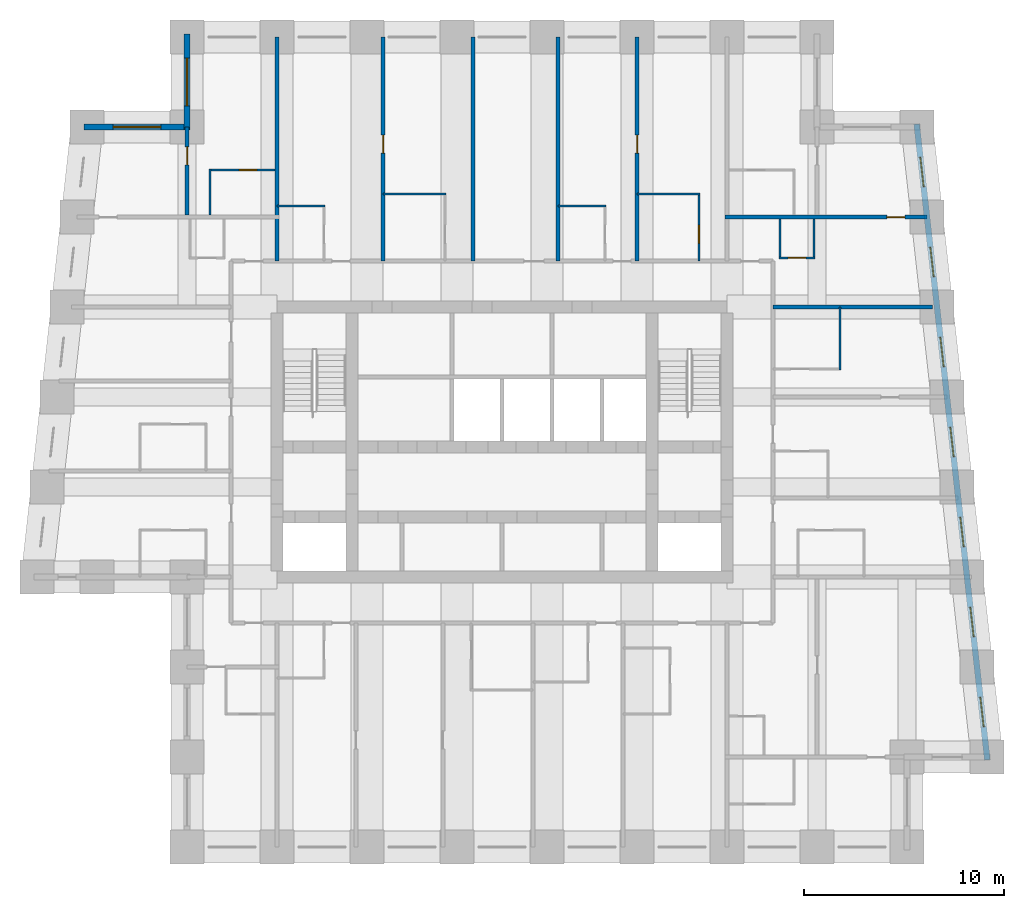
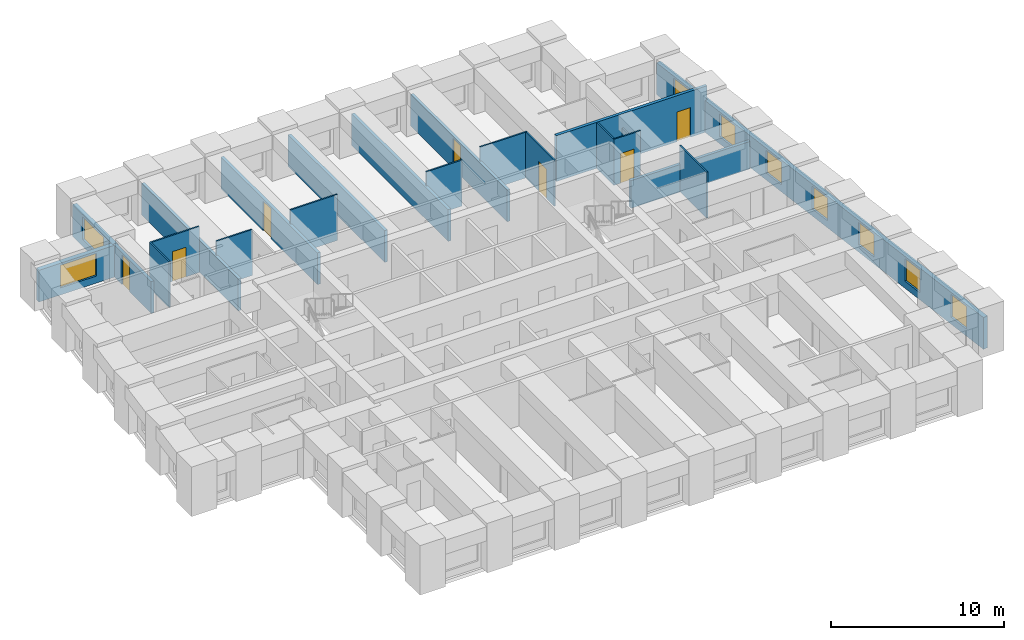
# One storey, part 6 of 8: 22 walls, 9 windows, 7 doors, 16 openings.
"""IFC4 building model written with IfcOpenShell, lengths in metres."""

from ifc_helpers import new_model, si_unit, direction, frame, frame_2d, origin, place, context, subcontext, project, spatial, rectangle, extrude, material, layer, layer_set, type_object, element, fill, save


model = new_model("IFC4")

# Units and contexts
model_context = context("Model", 3, precision=1e-05, world=origin(), true_north=direction((0.0, 1.0)))
body_context = subcontext(model_context, "Body", "Model", "MODEL_VIEW")
ifc_project = project(units=[si_unit("LENGTHUNIT", "METRE"), si_unit("AREAUNIT", "SQUARE_METRE"), si_unit("VOLUMEUNIT", "CUBIC_METRE"), si_unit("PLANEANGLEUNIT", "RADIAN"), si_unit("MASSUNIT", "GRAM", prefix="KILO")], contexts=[model_context])

# Site, building, storey
site_placement = place(None, origin())
site = spatial("IfcSite", under=ifc_project, at=site_placement, CompositionType="ELEMENT")
building_placement = place(site_placement, origin())
building = spatial("IfcBuilding", under=site, at=building_placement, Name="Kilele Tower Hotel", CompositionType="ELEMENT")
storey_placement = place(building_placement, frame((0.0, 0.0, 193.89990234375)))
storey = spatial("IfcBuildingStorey", under=building, at=storey_placement, Name="L50", CompositionType="ELEMENT", Elevation=193.89990234375)

# Walls
ifc_material_1 = material(Name="Moisture-resistant board")
ifc_layer_1 = layer(ifc_material_1, 0.10009765625)
ifc_layer_set_1 = layer_set([ifc_layer_1], Name="Moisture-resistant board")
wall_type_1 = type_object("IfcWallType", Name="Bathroom partition 100", PredefinedType="PLUMBINGWALL", material=ifc_layer_set_1)
wall_1_placement = place(storey_placement, frame((41.64990234375, 23.85009765625, 0.0), z_axis=(0.0, 0.0, 1.0), x_axis=(0.0, 1.0, 0.0)))
element("IfcWall", 1, at=wall_1_placement, inside=storey, type_object=wall_type_1, Name="Bathroom partition 100 L50", PredefinedType="PLUMBINGWALL", context=body_context, shape_type="SweptSolid", body=[
    extrude(rectangle(XDim=3.14990234375, YDim=0.10009765625, at=frame_2d((1.574951171875, 0.0))), origin(), (0.0, 0.0, 1.0), 3.25),
])
wall_2_placement = place(storey_placement, frame((13.5, 32.050048828125, 0.0), z_axis=(0.0, 0.0, 1.0), x_axis=(1.0, 0.0, 0.0)))
element("IfcWall", 2, at=wall_2_placement, inside=storey, type_object=wall_type_1, Name="Bathroom partition 100 L50", PredefinedType="PLUMBINGWALL", context=body_context, shape_type="SweptSolid", body=[
    extrude(rectangle(XDim=2.39990234375, YDim=0.10009765625, at=frame_2d((1.199951171875, 0.0))), origin(), (0.0, 0.0, 1.0), 3.25),
])
wall_3_placement = place(storey_placement, frame((18.800048828125, 32.64990234375, 0.0), z_axis=(0.0, 0.0, 1.0), x_axis=(1.0, 0.0, 0.0)))
element("IfcWall", 3, at=wall_3_placement, inside=storey, type_object=wall_type_1, Name="Bathroom partition 100 L50", PredefinedType="PLUMBINGWALL", context=body_context, shape_type="SweptSolid", body=[
    extrude(rectangle(XDim=3.14990234375, YDim=0.10009765625, at=frame_2d((1.574951171875, 0.0))), origin(), (0.0, 0.0, 1.0), 3.25),
])
wall_4_placement = place(storey_placement, frame((27.550048828125, 32.050048828125, 0.0), z_axis=(0.0, 0.0, 1.0), x_axis=(1.0, 0.0, 0.0)))
element("IfcWall", 4, at=wall_4_placement, inside=storey, type_object=wall_type_1, Name="Bathroom partition 100 L50", PredefinedType="PLUMBINGWALL", context=body_context, shape_type="SweptSolid", body=[
    extrude(rectangle(XDim=2.39990234375, YDim=0.10009765625, at=frame_2d((1.199951171875, 0.0))), origin(), (0.0, 0.0, 1.0), 3.25),
])
wall_5_placement = place(storey_placement, frame((31.5, 32.64990234375, 0.0), z_axis=(0.0, 0.0, 1.0), x_axis=(1.0, 0.0, 0.0)))
element("IfcWall", 5, at=wall_5_placement, inside=storey, type_object=wall_type_1, Name="Bathroom partition 100 L50", PredefinedType="PLUMBINGWALL", context=body_context, shape_type="SweptSolid", body=[
    extrude(rectangle(XDim=3.14990234375, YDim=0.10009765625, at=frame_2d((1.574951171875, 0.0))), origin(), (0.0, 0.0, 1.0), 3.25),
])

# Wall, opening, door
wall_6_placement = place(storey_placement, frame((34.60009765625, 29.300048828125, 0.0), z_axis=(0.0, 0.0, 1.0), x_axis=(0.0, 1.0, 0.0)))
wall_6 = element("IfcWall", 6, at=wall_6_placement, inside=storey, type_object=wall_type_1, Name="Bathroom partition 100 L50", PredefinedType="PLUMBINGWALL", context=body_context, shape_type="SweptSolid", body=[
    extrude(rectangle(XDim=3.39990234375, YDim=0.10009765625, at=frame_2d((1.699951171875, 0.0))), origin(), (0.0, 0.0, 1.0), 3.25),
])
opening_1_placement = place(wall_6_placement, frame((1.7998046875, 0.0, 0.0), z_axis=(0.0, 0.0, 1.0), x_axis=(-1.0, 0.0, 0.0)))
opening_1 = element("IfcOpeningElement", 7, at=opening_1_placement, cuts=wall_6, Name="Opening D2A", PredefinedType="OPENING", context=body_context, shape_type="SweptSolid", body=[
    extrude(rectangle(XDim=0.89990234375, YDim=2.10009765625, at=frame_2d((0.449951171875, 1.050048828125))), frame((0.0, 0.06005859375, 0.0), z_axis=(0.0, -1.0, 0.0), x_axis=(1.0, 0.0, 0.0)), (0.0, 0.0, 1.0), 0.1201171875),
])
ifc_material_2 = material(Name="Timber door leaf in hardwood frame", Category="wood")
door_type_1 = type_object("IfcDoorType", Name="Bathroom door 900", OperationType="SINGLE_SWING_LEFT", PredefinedType="DOOR", material=ifc_material_2)
door_1_placement = place(opening_1_placement, origin())
door_1 = element("IfcDoor", 8, at=door_1_placement, inside=storey, type_object=door_type_1, Name="Bathroom door 5013B", OperationType="SINGLE_SWING_RIGHT", OverallHeight=2.10009765625, OverallWidth=0.89990234375, PredefinedType="DOOR", context=body_context, shape_type="SweptSolid", body=[
    extrude(rectangle(XDim=0.89990234375, YDim=2.10009765625, at=frame_2d((0.449951171875, 1.050048828125))), frame((0.0, 0.02490234375, 0.0), z_axis=(0.0, -1.0, 0.0), x_axis=(1.0, 0.0, 0.0)), (0.0, 0.0, 1.0), 0.050048828125),
])
fill(opening_1, door_1)

# Walls
wall_7_placement = place(storey_placement, frame((40.35009765625, 31.39990234375, 0.0), z_axis=(0.0, 0.0, 1.0), x_axis=(0.0, -1.0, 0.0)))
element("IfcWall", 9, at=wall_7_placement, inside=storey, type_object=wall_type_1, Name="Bathroom partition 100 L50", PredefinedType="PLUMBINGWALL", context=body_context, shape_type="SweptSolid", body=[
    extrude(rectangle(XDim=2.0, YDim=0.10009765625, at=frame_2d((1.0, 0.0))), origin(), (0.0, 0.0, 1.0), 2.25),
])
wall_8_placement = place(storey_placement, frame((38.64990234375, 31.39990234375, 0.0), z_axis=(0.0, 0.0, 1.0), x_axis=(0.0, -1.0, 0.0)))
element("IfcWall", 10, at=wall_8_placement, inside=storey, type_object=wall_type_1, Name="Bathroom partition 100 L50", PredefinedType="PLUMBINGWALL", context=body_context, shape_type="SweptSolid", body=[
    extrude(rectangle(XDim=2.0, YDim=0.10009765625, at=frame_2d((1.0, 0.0))), origin(), (0.0, 0.0, 1.0), 3.25),
])

# Wall, opening, door
wall_9_placement = place(storey_placement, frame((38.60009765625, 29.449951171875, 0.0), z_axis=(0.0, 0.0, 1.0), x_axis=(1.0, 0.0, 0.0)))
wall_9 = element("IfcWall", 11, at=wall_9_placement, inside=storey, type_object=wall_type_1, Name="Bathroom partition 100 L50", PredefinedType="PLUMBINGWALL", context=body_context, shape_type="SweptSolid", body=[
    extrude(rectangle(XDim=1.7998046875, YDim=0.10009765625, at=frame_2d((0.89990234375, 0.0))), origin(), (0.0, 0.0, 1.0), 3.25),
])
opening_2_placement = place(wall_9_placement, frame((1.349853515625, 0.0, 0.0), z_axis=(0.0, 0.0, 1.0), x_axis=(-1.0, 0.0, 0.0)))
opening_2 = element("IfcOpeningElement", 12, at=opening_2_placement, cuts=wall_9, Name="Opening D2A", PredefinedType="OPENING", context=body_context, shape_type="SweptSolid", body=[
    extrude(rectangle(XDim=0.89990234375, YDim=2.10009765625, at=frame_2d((0.449951171875, 1.050048828125))), frame((0.0, 0.06005859375, 0.0), z_axis=(0.0, -1.0, 0.0), x_axis=(1.0, 0.0, 0.0)), (0.0, 0.0, 1.0), 0.1201171875),
])
door_2_placement = place(opening_2_placement, origin())
door_2 = element("IfcDoor", 13, at=door_2_placement, inside=storey, type_object=door_type_1, Name="Bathroom door 5022P", OperationType="SINGLE_SWING_RIGHT", OverallHeight=2.10009765625, OverallWidth=0.89990234375, PredefinedType="DOOR", context=body_context, shape_type="SweptSolid", body=[
    extrude(rectangle(XDim=0.89990234375, YDim=2.10009765625, at=frame_2d((0.449951171875, 1.050048828125))), frame((0.0, 0.02490234375, 0.0), z_axis=(0.0, -1.0, 0.0), x_axis=(1.0, 0.0, 0.0)), (0.0, 0.0, 1.0), 0.050048828125),
])
fill(opening_2, door_2)

# Wall
wall_10_placement = place(storey_placement, frame((10.14990234375, 31.60009765625, 0.0), z_axis=(0.0, 0.0, 1.0), x_axis=(0.0, 1.0, 0.0)))
element("IfcWall", 14, at=wall_10_placement, inside=storey, type_object=wall_type_1, Name="Bathroom partition 100 L50", PredefinedType="PLUMBINGWALL", context=body_context, shape_type="SweptSolid", body=[
    extrude(rectangle(XDim=2.2998046875, YDim=0.10009765625, at=frame_2d((1.14990234375, 0.0))), origin(), (0.0, 0.0, 1.0), 3.25),
])

# Wall, opening, door
wall_11_placement = place(storey_placement, frame((13.39990234375, 33.85009765625, 0.0), z_axis=(0.0, 0.0, 1.0), x_axis=(-1.0, 0.0, 0.0)))
wall_11 = element("IfcWall", 15, at=wall_11_placement, inside=storey, type_object=wall_type_1, Name="Bathroom partition 100 L50", PredefinedType="PLUMBINGWALL", context=body_context, shape_type="SweptSolid", body=[
    extrude(rectangle(XDim=3.2998046875, YDim=0.10009765625, at=frame_2d((1.64990234375, 0.0))), origin(), (0.0, 0.0, 1.0), 3.25),
])
opening_3_placement = place(wall_11_placement, frame((1.7998046875, 0.0, 0.0), z_axis=(0.0, 0.0, 1.0), x_axis=(-1.0, 0.0, 0.0)))
opening_3 = element("IfcOpeningElement", 16, at=opening_3_placement, cuts=wall_11, Name="Opening D2A", PredefinedType="OPENING", context=body_context, shape_type="SweptSolid", body=[
    extrude(rectangle(XDim=0.89990234375, YDim=2.10009765625, at=frame_2d((0.449951171875, 1.050048828125))), frame((0.0, 0.06005859375, 0.0), z_axis=(0.0, -1.0, 0.0), x_axis=(1.0, 0.0, 0.0)), (0.0, 0.0, 1.0), 0.1201171875),
])
door_3_placement = place(opening_3_placement, origin())
door_3 = element("IfcDoor", 17, at=door_3_placement, inside=storey, type_object=door_type_1, Name="Bathroom door 5026B", OperationType="SINGLE_SWING_RIGHT", OverallHeight=2.10009765625, OverallWidth=0.89990234375, PredefinedType="DOOR", context=body_context, shape_type="SweptSolid", body=[
    extrude(rectangle(XDim=0.89990234375, YDim=2.10009765625, at=frame_2d((0.449951171875, 1.050048828125))), frame((0.0, 0.02490234375, 0.0), z_axis=(0.0, -1.0, 0.0), x_axis=(1.0, 0.0, 0.0)), (0.0, 0.0, 1.0), 0.050048828125),
])
fill(opening_3, door_3)

ifc_material_3 = material(Name="Blockwork, plastered both sides", Category="masonry")
ifc_layer_2 = layer(ifc_material_3, 0.199951171875)
ifc_layer_set_2 = layer_set([ifc_layer_2], Name="Blockwork, plastered both sides")
wall_type_2 = type_object("IfcWallType", Name="Partition wall 200", PredefinedType="PARTITIONING", material=ifc_layer_set_2)
wall_12_placement = place(storey_placement, frame((9.0, 31.60009765625, 0.0), z_axis=(0.0, 0.0, 1.0), x_axis=(0.0, 1.0, 0.0)))
wall_12 = element("IfcWall", 18, at=wall_12_placement, inside=storey, type_object=wall_type_2, Name="Partition wall 200 L50", PredefinedType="PARTITIONING", context=body_context, shape_type="SweptSolid", body=[
    extrude(rectangle(XDim=4.39990234375, YDim=0.199951171875, at=frame_2d((2.199951171875, 0.0))), origin(), (0.0, 0.0, 1.0), 2.25),
])
opening_4_placement = place(wall_12_placement, frame((2.5, 0.0, 0.0)))
opening_4 = element("IfcOpeningElement", 19, at=opening_4_placement, cuts=wall_12, Name="Opening D3", PredefinedType="OPENING", context=body_context, shape_type="SweptSolid", body=[
    extrude(rectangle(XDim=0.89990234375, YDim=2.10009765625, at=frame_2d((0.449951171875, 1.050048828125))), frame((0.0, 0.10986328125, 0.0), z_axis=(0.0, -1.0, 0.0), x_axis=(1.0, 0.0, 0.0)), (0.0, 0.0, 1.0), 0.219970703125),
])
ifc_material_4 = material(Name="Timber door leaf in hardwood frame", Category="wood")
door_type_2 = type_object("IfcDoorType", Name="Suite internal door 900", OperationType="SINGLE_SWING_LEFT", PredefinedType="DOOR", material=ifc_material_4)
door_4_placement = place(opening_4_placement, origin())
door_4 = element("IfcDoor", 20, at=door_4_placement, inside=storey, type_object=door_type_2, Name="Suite door 5027", OperationType="SINGLE_SWING_RIGHT", OverallHeight=2.10009765625, OverallWidth=0.89990234375, PredefinedType="DOOR", context=body_context, shape_type="SweptSolid", body=[
    extrude(rectangle(XDim=0.89990234375, YDim=2.10009765625, at=frame_2d((0.449951171875, 1.050048828125))), frame((0.0, 0.02490234375, 0.0), z_axis=(0.0, -1.0, 0.0), x_axis=(1.0, 0.0, 0.0)), (0.0, 0.0, 1.0), 0.050048828125),
])
fill(opening_4, door_4)

ifc_material_5 = material(Name="Blockwork, plastered both sides", Category="masonry")
ifc_layer_3 = layer(ifc_material_5, 0.199951171875)
ifc_layer_set_3 = layer_set([ifc_layer_3], Name="Blockwork, plastered both sides")
wall_type_3 = type_object("IfcWallType", Name="Party wall 200", PredefinedType="PARTITIONING", material=ifc_layer_set_3)
wall_13_placement = place(storey_placement, frame((18.800048828125, 29.300048828125, 0.0), z_axis=(0.0, 0.0, 1.0), x_axis=(0.0, 1.0, 0.0)))
wall_13 = element("IfcWall", 21, at=wall_13_placement, inside=storey, type_object=wall_type_3, Name="Party wall 200 L50", PredefinedType="PARTITIONING", context=body_context, shape_type="SweptSolid", body=[
    extrude(rectangle(XDim=11.199951171875, YDim=0.199951171875, at=frame_2d((5.60009765625, 0.0))), origin(), (0.0, 0.0, 1.0), 2.25),
])
opening_5_placement = place(wall_13_placement, frame((5.39990234375, 0.0, 0.0)))
opening_5 = element("IfcOpeningElement", 22, at=opening_5_placement, cuts=wall_13, Name="Opening D3", PredefinedType="OPENING", context=body_context, shape_type="SweptSolid", body=[
    extrude(rectangle(XDim=0.89990234375, YDim=2.10009765625, at=frame_2d((0.449951171875, 1.050048828125))), frame((0.0, 0.10986328125, 0.0), z_axis=(0.0, -1.0, 0.0), x_axis=(1.0, 0.0, 0.0)), (0.0, 0.0, 1.0), 0.219970703125),
])
door_5_placement = place(opening_5_placement, origin())
door_5 = element("IfcDoor", 23, at=door_5_placement, inside=storey, type_object=door_type_2, Name="Suite door 5010", OperationType="SINGLE_SWING_RIGHT", OverallHeight=2.10009765625, OverallWidth=0.89990234375, PredefinedType="DOOR", context=body_context, shape_type="SweptSolid", body=[
    extrude(rectangle(XDim=0.89990234375, YDim=2.10009765625, at=frame_2d((0.449951171875, 1.050048828125))), frame((0.0, 0.02490234375, 0.0), z_axis=(0.0, -1.0, 0.0), x_axis=(1.0, 0.0, 0.0)), (0.0, 0.0, 1.0), 0.050048828125),
])
fill(opening_5, door_5)

# Walls
for number, where, z_axis, x_axis, name in (
    (24, (23.300048828125, 29.300048828125, 0.0), (0.0, 0.0, 1.0), (0.0, 1.0, 0.0), "Party wall 200 L50"),
    (25, (27.550048828125, 29.300048828125, 0.0), (0.0, 0.0, 1.0), (0.0, 1.0, 0.0), "Party wall 200 L50"),
):
    element("IfcWall", number, at=place(storey_placement, frame(where, z_axis=z_axis, x_axis=x_axis)), inside=storey, type_object=wall_type_3, Name=name, PredefinedType="PARTITIONING", context=body_context, shape_type="SweptSolid", body=[
        extrude(rectangle(XDim=11.199951171875, YDim=0.199951171875, at=frame_2d((5.60009765625, 0.0))), origin(), (0.0, 0.0, 1.0), 2.25),
    ])

# Wall, opening, door
wall_14_placement = place(storey_placement, frame((31.5, 29.300048828125, 0.0), z_axis=(0.0, 0.0, 1.0), x_axis=(0.0, 1.0, 0.0)))
wall_14 = element("IfcWall", 26, at=wall_14_placement, inside=storey, type_object=wall_type_3, Name="Party wall 200 L50", PredefinedType="PARTITIONING", context=body_context, shape_type="SweptSolid", body=[
    extrude(rectangle(XDim=11.199951171875, YDim=0.199951171875, at=frame_2d((5.60009765625, 0.0))), origin(), (0.0, 0.0, 1.0), 2.25),
])
opening_6_placement = place(wall_14_placement, frame((5.39990234375, 0.0, 0.0)))
opening_6 = element("IfcOpeningElement", 27, at=opening_6_placement, cuts=wall_14, Name="Opening D3", PredefinedType="OPENING", context=body_context, shape_type="SweptSolid", body=[
    extrude(rectangle(XDim=0.89990234375, YDim=2.10009765625, at=frame_2d((0.449951171875, 1.050048828125))), frame((0.0, 0.10986328125, 0.0), z_axis=(0.0, -1.0, 0.0), x_axis=(1.0, 0.0, 0.0)), (0.0, 0.0, 1.0), 0.219970703125),
])
door_6_placement = place(opening_6_placement, origin())
door_6 = element("IfcDoor", 28, at=door_6_placement, inside=storey, type_object=door_type_2, Name="Suite door 5013", OperationType="SINGLE_SWING_RIGHT", OverallHeight=2.10009765625, OverallWidth=0.89990234375, PredefinedType="DOOR", context=body_context, shape_type="SweptSolid", body=[
    extrude(rectangle(XDim=0.89990234375, YDim=2.10009765625, at=frame_2d((0.449951171875, 1.050048828125))), frame((0.0, 0.02490234375, 0.0), z_axis=(0.0, -1.0, 0.0), x_axis=(1.0, 0.0, 0.0)), (0.0, 0.0, 1.0), 0.050048828125),
])
fill(opening_6, door_6)

# Wall
wall_15_placement = place(storey_placement, frame((38.300048828125, 27.0, 0.0), z_axis=(0.0, 0.0, 1.0), x_axis=(1.0, 0.0, 0.0)))
element("IfcWall", 29, at=wall_15_placement, inside=storey, type_object=wall_type_3, Name="Party wall 200 L50", PredefinedType="PARTITIONING", context=body_context, shape_type="SweptSolid", body=[
    extrude(rectangle(XDim=7.976806640625, YDim=0.199951171875, at=frame_2d((3.98828125, 0.0))), origin(), (0.0, 0.0, 1.0), 1.9501953125),
])

# Wall, opening, door
wall_16_placement = place(storey_placement, frame((35.89990234375, 31.5, 0.0), z_axis=(0.0, 0.0, 1.0), x_axis=(1.0, 0.0, 0.0)))
wall_16 = element("IfcWall", 30, at=wall_16_placement, inside=storey, type_object=wall_type_3, Name="Party wall 200 L50", PredefinedType="PARTITIONING", context=body_context, shape_type="SweptSolid", body=[
    extrude(rectangle(XDim=10.09912109375, YDim=0.199951171875, at=frame_2d((5.049560546875, 0.0))), origin(), (0.0, 0.0, 1.0), 3.25),
])
opening_7_placement = place(wall_16_placement, frame((8.09912109375, 0.0, 0.0)))
opening_7 = element("IfcOpeningElement", 31, at=opening_7_placement, cuts=wall_16, Name="Opening D3", PredefinedType="OPENING", context=body_context, shape_type="SweptSolid", body=[
    extrude(rectangle(XDim=0.89990234375, YDim=2.10009765625, at=frame_2d((0.449951171875, 1.050048828125))), frame((0.0, 0.10986328125, 0.0), z_axis=(0.0, -1.0, 0.0), x_axis=(1.0, 0.0, 0.0)), (0.0, 0.0, 1.0), 0.219970703125),
])
door_7_placement = place(opening_7_placement, origin())
door_7 = element("IfcDoor", 32, at=door_7_placement, inside=storey, type_object=door_type_2, Name="Suite door 5023", OperationType="SINGLE_SWING_RIGHT", OverallHeight=2.10009765625, OverallWidth=0.89990234375, PredefinedType="DOOR", context=body_context, shape_type="SweptSolid", body=[
    extrude(rectangle(XDim=0.89990234375, YDim=2.10009765625, at=frame_2d((0.449951171875, 1.050048828125))), frame((0.0, 0.02490234375, 0.0), z_axis=(0.0, -1.0, 0.0), x_axis=(1.0, 0.0, 0.0)), (0.0, 0.0, 1.0), 0.050048828125),
])
fill(opening_7, door_7)

# Wall
wall_17_placement = place(storey_placement, frame((13.5, 29.300048828125, 0.0), z_axis=(0.0, 0.0, 1.0), x_axis=(0.0, 1.0, 0.0)))
element("IfcWall", 33, at=wall_17_placement, inside=storey, type_object=wall_type_3, Name="Party wall 200 L50", PredefinedType="PARTITIONING", context=body_context, shape_type="SweptSolid", body=[
    extrude(rectangle(XDim=11.199951171875, YDim=0.199951171875, at=frame_2d((5.60009765625, 0.0))), origin(), (0.0, 0.0, 1.0), 2.25),
])

# Wall, openings, windows
ifc_material_6 = material(Name="Concrete C40/50 precast", Category="concrete")
ifc_layer_4 = layer(ifc_material_6, 0.260009765625, Name="Precast backing", Category="LoadBearing")
ifc_material_7 = material(Name="Reconstituted stone finish", Category="masonry")
ifc_layer_5 = layer(ifc_material_7, 0.0400390625, Name="Face mix", Category="Finish")
ifc_layer_set_4 = layer_set([ifc_layer_4, ifc_layer_5], Name="Precast concrete C40/50, reconstituted stone finish")
wall_type_4 = type_object("IfcWallType", Name="Precast stone facade wall 300", PredefinedType="STANDARD", material=ifc_layer_set_4)
wall_18_placement = place(storey_placement, frame((49.0166015625, 4.350830078125, 0.0), z_axis=(0.0, 0.0, 1.0), x_axis=(-0.110433201132, 0.993883548555, 0.0)))
wall_18 = element("IfcWall", 34, at=wall_18_placement, inside=storey, type_object=wall_type_4, Name="Facade wall L50 edge 6", PredefinedType="STANDARD", context=body_context, shape_type="SweptSolid", body=[
    extrude(rectangle(XDim=31.994140625, YDim=0.300048828125, at=frame_2d((15.9970703125, 0.0))), origin(), (0.0, 0.0, 1.0), 2.25),
])
opening_8_placement = place(wall_18_placement, frame((1.6640625, 0.0, 0.5)))
opening_8 = element("IfcOpeningElement", 35, at=opening_8_placement, cuts=wall_18, Name="Opening W3", PredefinedType="OPENING", context=body_context, shape_type="SweptSolid", body=[
    extrude(rectangle(XDim=1.5, YDim=1.60009765625, at=frame_2d((0.75, 0.800048828125))), frame((0.0, 0.159912109375, 0.0), z_axis=(0.0, -1.0, 0.0), x_axis=(1.0, 0.0, 0.0)), (0.0, 0.0, 1.0), 0.320068359375),
])
opening_9_placement = place(wall_18_placement, frame((6.19189453125, 0.0, 0.5)))
opening_9 = element("IfcOpeningElement", 36, at=opening_9_placement, cuts=wall_18, Name="Opening W3", PredefinedType="OPENING", context=body_context, shape_type="SweptSolid", body=[
    extrude(rectangle(XDim=1.5, YDim=1.60009765625, at=frame_2d((0.75, 0.800048828125))), frame((0.0, 0.159912109375, 0.0), z_axis=(0.0, -1.0, 0.0), x_axis=(1.0, 0.0, 0.0)), (0.0, 0.0, 1.0), 0.320068359375),
])
opening_10_placement = place(wall_18_placement, frame((10.718994140625, 0.0, 0.5)))
opening_10 = element("IfcOpeningElement", 37, at=opening_10_placement, cuts=wall_18, Name="Opening W3", PredefinedType="OPENING", context=body_context, shape_type="SweptSolid", body=[
    extrude(rectangle(XDim=1.5, YDim=1.60009765625, at=frame_2d((0.75, 0.800048828125))), frame((0.0, 0.159912109375, 0.0), z_axis=(0.0, -1.0, 0.0), x_axis=(1.0, 0.0, 0.0)), (0.0, 0.0, 1.0), 0.320068359375),
])
opening_11_placement = place(wall_18_placement, frame((15.2470703125, 0.0, 0.5)))
opening_11 = element("IfcOpeningElement", 38, at=opening_11_placement, cuts=wall_18, Name="Opening W3", PredefinedType="OPENING", context=body_context, shape_type="SweptSolid", body=[
    extrude(rectangle(XDim=1.5, YDim=1.60009765625, at=frame_2d((0.75, 0.800048828125))), frame((0.0, 0.159912109375, 0.0), z_axis=(0.0, -1.0, 0.0), x_axis=(1.0, 0.0, 0.0)), (0.0, 0.0, 1.0), 0.320068359375),
])
opening_12_placement = place(wall_18_placement, frame((19.77490234375, 0.0, 0.5)))
opening_12 = element("IfcOpeningElement", 39, at=opening_12_placement, cuts=wall_18, Name="Opening W3", PredefinedType="OPENING", context=body_context, shape_type="SweptSolid", body=[
    extrude(rectangle(XDim=1.5, YDim=1.60009765625, at=frame_2d((0.75, 0.800048828125))), frame((0.0, 0.159912109375, 0.0), z_axis=(0.0, -1.0, 0.0), x_axis=(1.0, 0.0, 0.0)), (0.0, 0.0, 1.0), 0.320068359375),
])
opening_13_placement = place(wall_18_placement, frame((24.302001953125, 0.0, 0.5)))
opening_13 = element("IfcOpeningElement", 40, at=opening_13_placement, cuts=wall_18, Name="Opening W3", PredefinedType="OPENING", context=body_context, shape_type="SweptSolid", body=[
    extrude(rectangle(XDim=1.5, YDim=1.60009765625, at=frame_2d((0.75, 0.800048828125))), frame((0.0, 0.159912109375, 0.0), z_axis=(0.0, -1.0, 0.0), x_axis=(1.0, 0.0, 0.0)), (0.0, 0.0, 1.0), 0.320068359375),
])
opening_14_placement = place(wall_18_placement, frame((28.830078125, 0.0, 0.5)))
opening_14 = element("IfcOpeningElement", 41, at=opening_14_placement, cuts=wall_18, Name="Opening W3", PredefinedType="OPENING", context=body_context, shape_type="SweptSolid", body=[
    extrude(rectangle(XDim=1.5, YDim=1.60009765625, at=frame_2d((0.75, 0.800048828125))), frame((0.0, 0.159912109375, 0.0), z_axis=(0.0, -1.0, 0.0), x_axis=(1.0, 0.0, 0.0)), (0.0, 0.0, 1.0), 0.320068359375),
])
ifc_material_8 = material(Name="Aluminium frame, clear double glazing", Category="aluminium")
window_type_1 = type_object("IfcWindowType", Name="Window W3 1500 x 1600", PartitioningType="SINGLE_PANEL", PredefinedType="WINDOW", material=ifc_material_8)
window_1_placement = place(opening_8_placement, origin())
window_1 = element("IfcWindow", 42, at=window_1_placement, inside=storey, type_object=window_type_1, Name="Window L50", OverallHeight=1.60009765625, OverallWidth=1.5, PartitioningType="SINGLE_PANEL", PredefinedType="WINDOW", context=body_context, shape_type="SweptSolid", body=[
    extrude(rectangle(XDim=1.5, YDim=1.60009765625, at=frame_2d((0.75, 0.800048828125))), frame((0.0, 0.030029296875, 0.0), z_axis=(0.0, -1.0, 0.0), x_axis=(1.0, 0.0, 0.0)), (0.0, 0.0, 1.0), 0.06005859375),
])
fill(opening_8, window_1)
window_2_placement = place(opening_9_placement, origin())
window_2 = element("IfcWindow", 43, at=window_2_placement, inside=storey, type_object=window_type_1, Name="Window L50", OverallHeight=1.60009765625, OverallWidth=1.5, PartitioningType="SINGLE_PANEL", PredefinedType="WINDOW", context=body_context, shape_type="SweptSolid", body=[
    extrude(rectangle(XDim=1.5, YDim=1.60009765625, at=frame_2d((0.75, 0.800048828125))), frame((0.0, 0.030029296875, 0.0), z_axis=(0.0, -1.0, 0.0), x_axis=(1.0, 0.0, 0.0)), (0.0, 0.0, 1.0), 0.06005859375),
])
fill(opening_9, window_2)
window_3_placement = place(opening_10_placement, origin())
window_3 = element("IfcWindow", 44, at=window_3_placement, inside=storey, type_object=window_type_1, Name="Window L50", OverallHeight=1.60009765625, OverallWidth=1.5, PartitioningType="SINGLE_PANEL", PredefinedType="WINDOW", context=body_context, shape_type="SweptSolid", body=[
    extrude(rectangle(XDim=1.5, YDim=1.60009765625, at=frame_2d((0.75, 0.800048828125))), frame((0.0, 0.030029296875, 0.0), z_axis=(0.0, -1.0, 0.0), x_axis=(1.0, 0.0, 0.0)), (0.0, 0.0, 1.0), 0.06005859375),
])
fill(opening_10, window_3)
window_4_placement = place(opening_11_placement, origin())
window_4 = element("IfcWindow", 45, at=window_4_placement, inside=storey, type_object=window_type_1, Name="Window L50", OverallHeight=1.60009765625, OverallWidth=1.5, PartitioningType="SINGLE_PANEL", PredefinedType="WINDOW", context=body_context, shape_type="SweptSolid", body=[
    extrude(rectangle(XDim=1.5, YDim=1.60009765625, at=frame_2d((0.75, 0.800048828125))), frame((0.0, 0.030029296875, 0.0), z_axis=(0.0, -1.0, 0.0), x_axis=(1.0, 0.0, 0.0)), (0.0, 0.0, 1.0), 0.06005859375),
])
fill(opening_11, window_4)
window_5_placement = place(opening_12_placement, origin())
window_5 = element("IfcWindow", 46, at=window_5_placement, inside=storey, type_object=window_type_1, Name="Window L50", OverallHeight=1.60009765625, OverallWidth=1.5, PartitioningType="SINGLE_PANEL", PredefinedType="WINDOW", context=body_context, shape_type="SweptSolid", body=[
    extrude(rectangle(XDim=1.5, YDim=1.60009765625, at=frame_2d((0.75, 0.800048828125))), frame((0.0, 0.030029296875, 0.0), z_axis=(0.0, -1.0, 0.0), x_axis=(1.0, 0.0, 0.0)), (0.0, 0.0, 1.0), 0.06005859375),
])
fill(opening_12, window_5)
window_6_placement = place(opening_13_placement, origin())
window_6 = element("IfcWindow", 47, at=window_6_placement, inside=storey, type_object=window_type_1, Name="Window L50", OverallHeight=1.60009765625, OverallWidth=1.5, PartitioningType="SINGLE_PANEL", PredefinedType="WINDOW", context=body_context, shape_type="SweptSolid", body=[
    extrude(rectangle(XDim=1.5, YDim=1.60009765625, at=frame_2d((0.75, 0.800048828125))), frame((0.0, 0.030029296875, 0.0), z_axis=(0.0, -1.0, 0.0), x_axis=(1.0, 0.0, 0.0)), (0.0, 0.0, 1.0), 0.06005859375),
])
fill(opening_13, window_6)
window_7_placement = place(opening_14_placement, origin())
window_7 = element("IfcWindow", 48, at=window_7_placement, inside=storey, type_object=window_type_1, Name="Window L50", OverallHeight=1.60009765625, OverallWidth=1.5, PartitioningType="SINGLE_PANEL", PredefinedType="WINDOW", context=body_context, shape_type="SweptSolid", body=[
    extrude(rectangle(XDim=1.5, YDim=1.60009765625, at=frame_2d((0.75, 0.800048828125))), frame((0.0, 0.030029296875, 0.0), z_axis=(0.0, -1.0, 0.0), x_axis=(1.0, 0.0, 0.0)), (0.0, 0.0, 1.0), 0.06005859375),
])
fill(opening_14, window_7)

# Wall, opening, window
wall_19_placement = place(storey_placement, frame((9.0, 40.64990234375, 0.0), z_axis=(0.0, 0.0, 1.0), x_axis=(0.0, -1.0, 0.0)))
wall_19 = element("IfcWall", 49, at=wall_19_placement, inside=storey, type_object=wall_type_4, Name="Facade wall L50 edge 10", PredefinedType="STANDARD", context=body_context, shape_type="SweptSolid", body=[
    extrude(rectangle(XDim=4.7998046875, YDim=0.300048828125, at=frame_2d((2.39990234375, 0.0))), origin(), (0.0, 0.0, 1.0), 2.25),
])
opening_15_placement = place(wall_19_placement, frame((1.199951171875, 0.0, 0.5)))
opening_15 = element("IfcOpeningElement", 50, at=opening_15_placement, cuts=wall_19, Name="Opening W3", PredefinedType="OPENING", context=body_context, shape_type="SweptSolid", body=[
    extrude(rectangle(XDim=2.39990234375, YDim=1.60009765625, at=frame_2d((1.199951171875, 0.800048828125))), frame((0.0, 0.159912109375, 0.0), z_axis=(0.0, -1.0, 0.0), x_axis=(1.0, 0.0, 0.0)), (0.0, 0.0, 1.0), 0.320068359375),
])
ifc_material_9 = material(Name="Aluminium frame, clear double glazing", Category="aluminium")
window_type_2 = type_object("IfcWindowType", Name="Window W3 2400 x 1600", PartitioningType="SINGLE_PANEL", PredefinedType="WINDOW", material=ifc_material_9)
window_8_placement = place(opening_15_placement, origin())
window_8 = element("IfcWindow", 51, at=window_8_placement, inside=storey, type_object=window_type_2, Name="Window L50", OverallHeight=1.60009765625, OverallWidth=2.39990234375, PartitioningType="SINGLE_PANEL", PredefinedType="WINDOW", context=body_context, shape_type="SweptSolid", body=[
    extrude(rectangle(XDim=2.39990234375, YDim=1.60009765625, at=frame_2d((1.199951171875, 0.800048828125))), frame((0.0, 0.030029296875, 0.0), z_axis=(0.0, -1.0, 0.0), x_axis=(1.0, 0.0, 0.0)), (0.0, 0.0, 1.0), 0.06005859375),
])
fill(opening_15, window_8)

wall_20_placement = place(storey_placement, frame((9.14990234375, 36.0, 0.0), z_axis=(0.0, 0.0, 1.0), x_axis=(-1.0, 0.0, 0.0)))
wall_20 = element("IfcWall", 52, at=wall_20_placement, inside=storey, type_object=wall_type_4, Name="Facade wall L50 edge 11", PredefinedType="STANDARD", context=body_context, shape_type="SweptSolid", body=[
    extrude(rectangle(XDim=5.2998046875, YDim=0.300048828125, at=frame_2d((2.64990234375, 0.0))), origin(), (0.0, 0.0, 1.0), 2.25),
])
opening_16_placement = place(wall_20_placement, frame((1.449951171875, 0.0, 0.5)))
opening_16 = element("IfcOpeningElement", 53, at=opening_16_placement, cuts=wall_20, Name="Opening W3", PredefinedType="OPENING", context=body_context, shape_type="SweptSolid", body=[
    extrude(rectangle(XDim=2.39990234375, YDim=1.60009765625, at=frame_2d((1.199951171875, 0.800048828125))), frame((0.0, 0.159912109375, 0.0), z_axis=(0.0, -1.0, 0.0), x_axis=(1.0, 0.0, 0.0)), (0.0, 0.0, 1.0), 0.320068359375),
])
window_9_placement = place(opening_16_placement, origin())
window_9 = element("IfcWindow", 54, at=window_9_placement, inside=storey, type_object=window_type_2, Name="Window L50", OverallHeight=1.60009765625, OverallWidth=2.39990234375, PartitioningType="SINGLE_PANEL", PredefinedType="WINDOW", context=body_context, shape_type="SweptSolid", body=[
    extrude(rectangle(XDim=2.39990234375, YDim=1.60009765625, at=frame_2d((1.199951171875, 0.800048828125))), frame((0.0, 0.030029296875, 0.0), z_axis=(0.0, -1.0, 0.0), x_axis=(1.0, 0.0, 0.0)), (0.0, 0.0, 1.0), 0.06005859375),
])
fill(opening_16, window_9)

save(model, "model.ifc")
